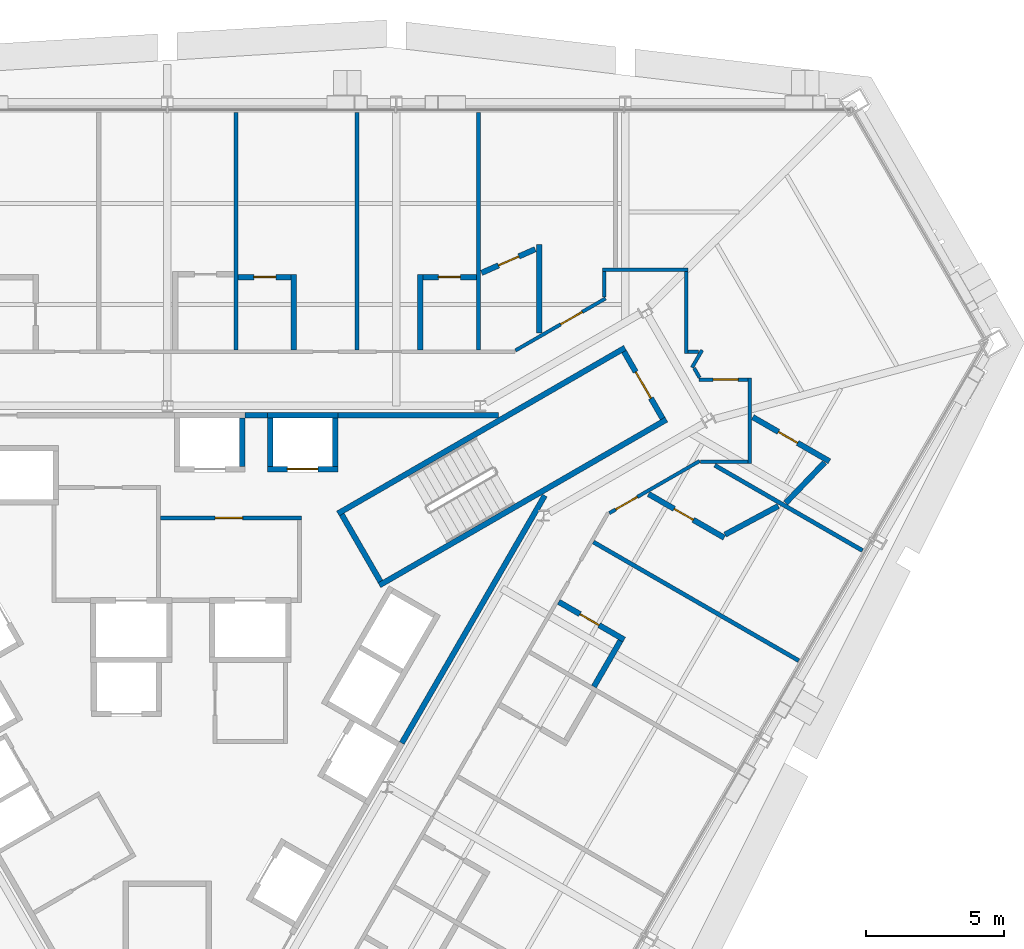
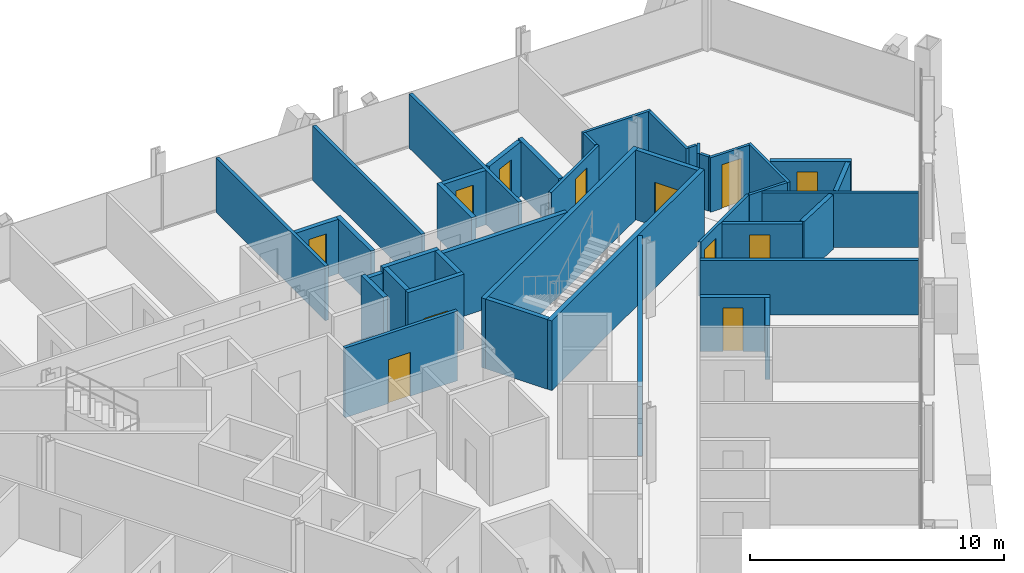
# One storey, part 14 of 17: 41 walls, 12 doors, 12 openings.
"""IFC4 building model written with IfcOpenShell, lengths in metres."""

from ifc_helpers import new_model, si_unit, direction, frame, frame_2d, origin, place, context, subcontext, project, spatial, rectangle, extrude, material, layer, layer_set, type_object, element, fill, save


model = new_model("IFC4")

# Units and contexts
model_context = context("Model", 3, precision=1e-05, world=origin(), true_north=direction((0.0, 1.0)))
body_context = subcontext(model_context, "Body", "Model", "MODEL_VIEW")
ifc_project = project(units=[si_unit("LENGTHUNIT", "METRE"), si_unit("AREAUNIT", "SQUARE_METRE"), si_unit("VOLUMEUNIT", "CUBIC_METRE"), si_unit("PLANEANGLEUNIT", "RADIAN"), si_unit("MASSUNIT", "GRAM", prefix="KILO")], contexts=[model_context])

# Site, building, storey
site_placement = place(None, origin())
site = spatial("IfcSite", under=ifc_project, at=site_placement, CompositionType="ELEMENT")
building_placement = place(site_placement, origin())
building = spatial("IfcBuilding", under=site, at=building_placement, Name="Verrane Prism Tower", CompositionType="ELEMENT")
storey_placement = place(building_placement, frame((0.0, 0.0, 136.0)))
storey = spatial("IfcBuildingStorey", under=building, at=storey_placement, Name="L33", CompositionType="ELEMENT", Elevation=136.0)

# Walls
ifc_material_1 = material(Name="Gypsum board partition", Category="other")
ifc_layer_1 = layer(ifc_material_1, 0.199951171875)
ifc_layer_set_1 = layer_set([ifc_layer_1], Name="CW-200 core boundary wall 2 h")
wall_type_1 = type_object("IfcWallType", Name="CW-200 core boundary wall 2 h", PredefinedType="PARTITIONING", material=ifc_layer_set_1)
wall_1_placement = place(storey_placement, frame((2.81689453125, 8.860107421875, 0.0), z_axis=(0.0, 0.0, 1.0), x_axis=(1.0, 0.0, 0.0)))
element("IfcWall", 1, at=wall_1_placement, inside=storey, type_object=wall_type_1, Name="Core boundary wall CW3-004", PredefinedType="PARTITIONING", context=body_context, shape_type="SweptSolid", body=[
    extrude(rectangle(XDim=0.80615234375, YDim=0.199951171875, at=frame_2d((0.403076171875, 0.0))), origin(), (0.0, 0.0, 1.0), 3.35009765625),
])
wall_2_placement = place(storey_placement, frame((6.177001953125, 8.860107421875, 0.0), z_axis=(0.0, 0.0, 1.0), x_axis=(1.0, 0.0, 0.0)))
element("IfcWall", 2, at=wall_2_placement, inside=storey, type_object=wall_type_1, Name="Core boundary wall CW3-006", PredefinedType="PARTITIONING", context=body_context, shape_type="SweptSolid", body=[
    extrude(rectangle(XDim=5.81396484375, YDim=0.199951171875, at=frame_2d((2.906982421875, 0.0))), origin(), (0.0, 0.0, 1.0), 3.35009765625),
])
wall_3_placement = place(storey_placement, frame((8.491943359375, -3.011962890625, 0.0), z_axis=(0.0, 0.0, 1.0), x_axis=(0.499972957231, 0.866041016371, 0.0)))
element("IfcWall", 3, at=wall_3_placement, inside=storey, type_object=wall_type_1, Name="Core boundary wall CW3-007", PredefinedType="PARTITIONING", context=body_context, shape_type="SweptSolid", body=[
    extrude(rectangle(XDim=10.3486328125, YDim=0.199951171875, at=frame_2d((5.17431640625, 0.0))), origin(), (0.0, 0.0, 1.0), 3.35009765625),
])

# Wall, opening, door
ifc_material_2 = material(Name="Concrete C40/50", Category="concrete")
ifc_layer_2 = layer(ifc_material_2, 0.199951171875)
ifc_layer_set_2 = layer_set([ifc_layer_2], Name="CW-200 stair core wall concrete C40/50 3 h")
wall_type_2 = type_object("IfcWallType", Name="CW-200 stair core wall concrete C40/50 3 h", PredefinedType="PARTITIONING", material=ifc_layer_set_2)
wall_4_placement = place(storey_placement, frame((17.933837890625, 8.737548828125, 0.0), z_axis=(0.0, 0.0, 1.0), x_axis=(-0.49998411664, 0.866034573852, 0.0)))
wall_4 = element("IfcWall", 4, at=wall_4_placement, inside=storey, type_object=wall_type_2, Name="Stair 1 enclosure wall", PredefinedType="PARTITIONING", context=body_context, shape_type="SweptSolid", body=[
    extrude(rectangle(XDim=2.7998046875, YDim=0.199951171875, at=frame_2d((1.39990234375, 0.0))), origin(), (0.0, 0.0, 1.0), 3.35009765625),
])
opening_1_placement = place(wall_4_placement, frame((0.849853515625, 0.0, 0.0)))
opening_1 = element("IfcOpeningElement", 5, at=opening_1_placement, cuts=wall_4, Name="Opening D32500", PredefinedType="OPENING", context=body_context, shape_type="SweptSolid", body=[
    extrude(rectangle(XDim=1.10009765625, YDim=2.10009765625, at=frame_2d((0.550048828125, 1.050048828125))), frame((0.0, 0.10986328125, 0.0), z_axis=(0.0, -1.0, 0.0), x_axis=(1.0, 0.0, 0.0)), (0.0, 0.0, 1.0), 0.219970703125),
])
ifc_material_3 = material(Name="Timber veneered door leaf", Category="wood")
door_type_1 = type_object("IfcDoorType", Name="DR-1100x2100 FD90 single leaf stair", OperationType="NOTDEFINED", PredefinedType="DOOR", material=ifc_material_3)
door_1_placement = place(opening_1_placement, origin())
door_1 = element("IfcDoor", 6, at=door_1_placement, inside=storey, type_object=door_type_1, Name="Stair 1 door", OperationType="SINGLE_SWING_LEFT", OverallHeight=2.10009765625, OverallWidth=1.10009765625, PredefinedType="DOOR", context=body_context, shape_type="SweptSolid", body=[
    extrude(rectangle(XDim=1.10009765625, YDim=2.10009765625, at=frame_2d((0.550048828125, 1.050048828125))), frame((0.0, 0.02490234375, 0.0), z_axis=(0.0, -1.0, 0.0), x_axis=(1.0, 0.0, 0.0)), (0.0, 0.0, 1.0), 0.050048828125),
])
fill(opening_1, door_1)

# Walls
for number, where, z_axis, x_axis, name in (
    (7, (6.17822265625, 5.299072265625, 0.0), (0.0, 0.0, 1.0), (0.866026010844, 0.49999894854, 0.0), "Stair 1 enclosure wall"),
    (8, (7.67822265625, 2.700927734375, 0.0), (0.0, 0.0, 1.0), (0.866026010844, 0.49999894854, 0.0), "Stair 1 enclosure wall"),
):
    element("IfcWall", number, at=place(storey_placement, frame(where, z_axis=z_axis, x_axis=x_axis)), inside=storey, type_object=wall_type_2, Name=name, PredefinedType="PARTITIONING", context=body_context, shape_type="SweptSolid", body=[
        extrude(rectangle(XDim=12.0, YDim=0.199951171875, at=frame_2d((6.0, 0.0))), origin(), (0.0, 0.0, 1.0), 3.35009765625),
    ])
wall_5_placement = place(storey_placement, frame((7.71484375, 2.837646484375, 0.0), z_axis=(0.0, 0.0, 1.0), x_axis=(-0.500049511043, 0.865996816683, 0.0)))
element("IfcWall", 9, at=wall_5_placement, inside=storey, type_object=wall_type_2, Name="Stair 1 enclosure wall", PredefinedType="PARTITIONING", context=body_context, shape_type="SweptSolid", body=[
    extrude(rectangle(XDim=2.800048828125, YDim=0.199951171875, at=frame_2d((1.39990234375, 0.0))), origin(), (0.0, 0.0, 1.0), 3.35009765625),
])

# Wall, opening, door
ifc_material_4 = material(Name="Gypsum board shaft wall assembly", Category="other")
ifc_layer_3 = layer(ifc_material_4, 0.199951171875)
ifc_layer_set_3 = layer_set([ifc_layer_3], Name="HW-200 lift shaft wall 2 h")
wall_type_3 = type_object("IfcWallType", Name="HW-200 lift shaft wall 2 h", PredefinedType="PARTITIONING", material=ifc_layer_set_3)
wall_6_placement = place(storey_placement, frame((3.625, 6.909912109375, 0.0), z_axis=(0.0, 0.0, 1.0), x_axis=(1.0, 0.0, 0.0)))
wall_6 = element("IfcWall", 10, at=wall_6_placement, inside=storey, type_object=wall_type_3, Name="Lift shaft wall", PredefinedType="PARTITIONING", context=body_context, shape_type="SweptSolid", body=[
    extrude(rectangle(XDim=2.550048828125, YDim=0.199951171875, at=frame_2d((1.27490234375, 0.0))), origin(), (0.0, 0.0, 1.0), 3.60009765625),
])
opening_2_placement = place(wall_6_placement, frame((0.72509765625, 0.0, 0.0)))
opening_2 = element("IfcOpeningElement", 11, at=opening_2_placement, cuts=wall_6, Name="Opening D32505", PredefinedType="OPENING", context=body_context, shape_type="SweptSolid", body=[
    extrude(rectangle(XDim=1.10009765625, YDim=2.10009765625, at=frame_2d((0.550048828125, 1.050048828125))), frame((0.0, 0.10986328125, 0.0), z_axis=(0.0, -1.0, 0.0), x_axis=(1.0, 0.0, 0.0)), (0.0, 0.0, 1.0), 0.219970703125),
])
ifc_material_5 = material(Name="Stainless steel sliding landing door", Category="steel")
door_type_2 = type_object("IfcDoorType", Name="LD-1100x2100 lift landing door FD90 sliding", OperationType="NOTDEFINED", PredefinedType="DOOR", material=ifc_material_5)
door_2_placement = place(opening_2_placement, origin())
door_2 = element("IfcDoor", 12, at=door_2_placement, inside=storey, type_object=door_type_2, Name="Bank A lift 3 landing door", OperationType="SLIDING_TO_LEFT", OverallHeight=2.10009765625, OverallWidth=1.10009765625, PredefinedType="DOOR", context=body_context, shape_type="SweptSolid", body=[
    extrude(rectangle(XDim=1.10009765625, YDim=2.10009765625, at=frame_2d((0.550048828125, 1.050048828125))), frame((0.0, 0.02490234375, 0.0), z_axis=(0.0, -1.0, 0.0), x_axis=(1.0, 0.0, 0.0)), (0.0, 0.0, 1.0), 0.050048828125),
])
fill(opening_2, door_2)

# Walls
wall_7_placement = place(storey_placement, frame((3.625, 8.860107421875, 0.0), z_axis=(0.0, 0.0, 1.0), x_axis=(1.0, 0.0, 0.0)))
element("IfcWall", 13, at=wall_7_placement, inside=storey, type_object=wall_type_3, Name="Lift shaft wall", PredefinedType="PARTITIONING", context=body_context, shape_type="SweptSolid", body=[
    extrude(rectangle(XDim=2.550048828125, YDim=0.199951171875, at=frame_2d((1.27490234375, 0.0))), origin(), (0.0, 0.0, 1.0), 3.60009765625),
])
for number, where, z_axis, x_axis, name in (
    (14, (6.074951171875, 7.010009765625, 0.0), (0.0, 0.0, 1.0), (0.0, 1.0, 0.0), "Lift shaft wall"),
    (15, (3.72509765625, 7.010009765625, 0.0), (0.0, 0.0, 1.0), (0.0, 1.0, 0.0), "Lift shaft wall"),
    (16, (2.715087890625, 7.010009765625, 0.0), (0.0, 0.0, 1.0), (0.0, 1.0, 0.0), "Lift shaft wall"),
):
    element("IfcWall", number, at=place(storey_placement, frame(where, z_axis=z_axis, x_axis=x_axis)), inside=storey, type_object=wall_type_3, Name=name, PredefinedType="PARTITIONING", context=body_context, shape_type="SweptSolid", body=[
        extrude(rectangle(XDim=1.75, YDim=0.199951171875, at=frame_2d((0.875, 0.0))), origin(), (0.0, 0.0, 1.0), 3.60009765625),
    ])

# Wall, opening, door
ifc_material_6 = material(Name="Gypsum board partition", Category="other")
ifc_layer_4 = layer(ifc_material_6, 0.14990234375)
ifc_layer_set_4 = layer_set([ifc_layer_4], Name="LF-150 firefighting lobby wall 1 h")
wall_type_4 = type_object("IfcWallType", Name="LF-150 firefighting lobby wall 1 h", PredefinedType="PARTITIONING", material=ifc_layer_set_4)
wall_8_placement = place(storey_placement, frame((-0.2451171875, 5.139892578125, 0.0), z_axis=(0.0, 0.0, 1.0), x_axis=(1.0, 0.0, 0.0)))
wall_8 = element("IfcWall", 17, at=wall_8_placement, inside=storey, type_object=wall_type_4, Name="Firefighting lobby wall LF1-005", PredefinedType="PARTITIONING", context=body_context, shape_type="SweptSolid", body=[
    extrude(rectangle(XDim=5.110107421875, YDim=0.14990234375, at=frame_2d((2.55517578125, 0.0))), origin(), (0.0, 0.0, 1.0), 3.35009765625),
])
opening_3_placement = place(wall_8_placement, frame((1.97509765625, 0.0, 0.0)))
opening_3 = element("IfcOpeningElement", 18, at=opening_3_placement, cuts=wall_8, Name="Opening D32516", PredefinedType="OPENING", context=body_context, shape_type="SweptSolid", body=[
    extrude(rectangle(XDim=1.0, YDim=2.10009765625, at=frame_2d((0.5, 1.050048828125))), frame((0.0, 0.0849609375, 0.0), z_axis=(0.0, -1.0, 0.0), x_axis=(1.0, 0.0, 0.0)), (0.0, 0.0, 1.0), 0.169921875),
])
ifc_material_7 = material(Name="Timber veneered door leaf", Category="wood")
door_type_3 = type_object("IfcDoorType", Name="DR-1000x2100 FD60 single leaf firefighting lobby", OperationType="NOTDEFINED", PredefinedType="DOOR", material=ifc_material_7)
door_3_placement = place(opening_3_placement, origin())
door_3 = element("IfcDoor", 19, at=door_3_placement, inside=storey, type_object=door_type_3, Name="Firefighting lobby door D32516", OperationType="SINGLE_SWING_RIGHT", OverallHeight=2.10009765625, OverallWidth=1.0, PredefinedType="DOOR", context=body_context, shape_type="SweptSolid", body=[
    extrude(rectangle(XDim=1.0, YDim=2.10009765625, at=frame_2d((0.5, 1.050048828125))), frame((0.0, 0.02490234375, 0.0), z_axis=(0.0, -1.0, 0.0), x_axis=(1.0, 0.0, 0.0)), (0.0, 0.0, 1.0), 0.050048828125),
])
fill(opening_3, door_3)

ifc_material_8 = material(Name="Gypsum board partition", Category="other")
ifc_layer_5 = layer(ifc_material_8, 0.125)
ifc_layer_set_5 = layer_set([ifc_layer_5], Name="PW-125 corridor wall 1 h")
wall_type_5 = type_object("IfcWallType", Name="PW-125 corridor wall 1 h", PredefinedType="PARTITIONING", material=ifc_layer_set_5)
wall_9_placement = place(storey_placement, frame((12.604736328125, 11.203369140625, 0.0), z_axis=(0.0, 0.0, 1.0), x_axis=(0.866113281362, 0.499847760672, 0.0)))
wall_9 = element("IfcWall", 20, at=wall_9_placement, inside=storey, type_object=wall_type_5, Name="Corridor wall 074", PredefinedType="PARTITIONING", context=body_context, shape_type="SweptSolid", body=[
    extrude(rectangle(XDim=3.766845703125, YDim=0.125, at=frame_2d((1.88330078125, 0.0))), origin(), (0.0, 0.0, 1.0), 2.613037109375),
])
opening_4_placement = place(wall_9_placement, frame((1.889892578125, 0.0, 0.0)))
opening_4 = element("IfcOpeningElement", 21, at=opening_4_placement, cuts=wall_9, Name="Opening D32017", PredefinedType="OPENING", context=body_context, shape_type="SweptSolid", body=[
    extrude(rectangle(XDim=0.89990234375, YDim=2.10009765625, at=frame_2d((0.449951171875, 1.050048828125))), frame((0.0, 0.072509765625, 0.0), z_axis=(0.0, -1.0, 0.0), x_axis=(1.0, 0.0, 0.0)), (0.0, 0.0, 1.0), 0.14501953125),
])
ifc_material_9 = material(Name="Timber veneered door leaf", Category="wood")
door_type_4 = type_object("IfcDoorType", Name="DR-900x2100 FD20 single leaf unit", OperationType="NOTDEFINED", PredefinedType="DOOR", material=ifc_material_9)
door_4_placement = place(opening_4_placement, origin())
door_4 = element("IfcDoor", 22, at=door_4_placement, inside=storey, type_object=door_type_4, Name="Guest Room door", OperationType="SINGLE_SWING_LEFT", OverallHeight=2.10009765625, OverallWidth=0.89990234375, PredefinedType="DOOR", context=body_context, shape_type="SweptSolid", body=[
    extrude(rectangle(XDim=0.89990234375, YDim=2.10009765625, at=frame_2d((0.449951171875, 1.050048828125))), frame((0.0, 0.02490234375, 0.0), z_axis=(0.0, -1.0, 0.0), x_axis=(1.0, 0.0, 0.0)), (0.0, 0.0, 1.0), 0.050048828125),
])
fill(opening_4, door_4)

# Walls
wall_10_placement = place(storey_placement, frame((15.81298828125, 13.139892578125, 0.0), z_axis=(0.0, 0.0, 1.0), x_axis=(0.0, 1.0, 0.0)))
element("IfcWall", 23, at=wall_10_placement, inside=storey, type_object=wall_type_5, Name="Corridor wall 081", PredefinedType="PARTITIONING", context=body_context, shape_type="SweptSolid", body=[
    extrude(rectangle(XDim=0.922119140625, YDim=0.125, at=frame_2d((0.4609375, 0.0))), origin(), (0.0, 0.0, 1.0), 2.613037109375),
])
wall_11_placement = place(storey_placement, frame((15.75048828125, 14.126953125, 0.0), z_axis=(0.0, 0.0, 1.0), x_axis=(1.0, 0.0, 0.0)))
element("IfcWall", 24, at=wall_11_placement, inside=storey, type_object=wall_type_5, Name="Corridor wall 082", PredefinedType="PARTITIONING", context=body_context, shape_type="SweptSolid", body=[
    extrude(rectangle(XDim=3.09912109375, YDim=0.125, at=frame_2d((1.549560546875, 0.0))), origin(), (0.0, 0.0, 1.0), 2.613037109375),
])

# Wall, opening, door
wall_12_placement = place(storey_placement, frame((19.278076171875, 7.204345703125, 0.0), z_axis=(0.0, 0.0, 1.0), x_axis=(-0.866028547684, -0.499994554566, 0.0)))
wall_12 = element("IfcWall", 25, at=wall_12_placement, inside=storey, type_object=wall_type_5, Name="Corridor wall 083", PredefinedType="PARTITIONING", context=body_context, shape_type="SweptSolid", body=[
    extrude(rectangle(XDim=3.77978515625, YDim=0.125, at=frame_2d((1.889892578125, 0.0))), origin(), (0.0, 0.0, 1.0), 2.613037109375),
])
opening_5_placement = place(wall_12_placement, frame((2.61474609375, 0.0, 0.0)))
opening_5 = element("IfcOpeningElement", 26, at=opening_5_placement, cuts=wall_12, Name="Opening D32013", PredefinedType="OPENING", context=body_context, shape_type="SweptSolid", body=[
    extrude(rectangle(XDim=0.89990234375, YDim=2.10009765625, at=frame_2d((0.449951171875, 1.050048828125))), frame((0.0, 0.072509765625, 0.0), z_axis=(0.0, -1.0, 0.0), x_axis=(1.0, 0.0, 0.0)), (0.0, 0.0, 1.0), 0.14501953125),
])
door_5_placement = place(opening_5_placement, origin())
door_5 = element("IfcDoor", 27, at=door_5_placement, inside=storey, type_object=door_type_4, Name="Guest Room door", OperationType="SINGLE_SWING_RIGHT", OverallHeight=2.10009765625, OverallWidth=0.89990234375, PredefinedType="DOOR", context=body_context, shape_type="SweptSolid", body=[
    extrude(rectangle(XDim=0.89990234375, YDim=2.10009765625, at=frame_2d((0.449951171875, 1.050048828125))), frame((0.0, 0.02490234375, 0.0), z_axis=(0.0, -1.0, 0.0), x_axis=(1.0, 0.0, 0.0)), (0.0, 0.0, 1.0), 0.050048828125),
])
fill(opening_5, door_5)

# Walls
wall_13_placement = place(storey_placement, frame((18.787109375, 11.098388671875, 0.0), z_axis=(0.0, 0.0, 1.0), x_axis=(0.0, 1.0, 0.0)))
element("IfcWall", 28, at=wall_13_placement, inside=storey, type_object=wall_type_5, Name="Corridor wall 086", PredefinedType="PARTITIONING", context=body_context, shape_type="SweptSolid", body=[
    extrude(rectangle(XDim=2.963623046875, YDim=0.125, at=frame_2d((1.48193359375, 0.0))), origin(), (0.0, 0.0, 1.0), 2.613037109375),
])
wall_14_placement = place(storey_placement, frame((18.85205078125, 11.160888671875, 0.0), z_axis=(0.0, 0.0, 1.0), x_axis=(1.0, 0.0, 0.0)))
element("IfcWall", 29, at=wall_14_placement, inside=storey, type_object=wall_type_5, Name="Corridor wall 087", PredefinedType="PARTITIONING", context=body_context, shape_type="SweptSolid", body=[
    extrude(rectangle(XDim=0.3740234375, YDim=0.125, at=frame_2d((0.18701171875, 0.0))), origin(), (0.0, 0.0, 1.0), 2.613037109375),
])
wall_15_placement = place(storey_placement, frame((19.072509765625, 10.5654296875, 0.0), z_axis=(0.0, 0.0, 1.0), x_axis=(0.499899443193, -0.866083452501, 0.0)))
element("IfcWall", 30, at=wall_15_placement, inside=storey, type_object=wall_type_5, Name="Corridor wall 088", PredefinedType="PARTITIONING", context=body_context, shape_type="SweptSolid", body=[
    extrude(rectangle(XDim=0.39794921875, YDim=0.125, at=frame_2d((0.198974609375, 0.0))), origin(), (0.0, 0.0, 1.0), 2.613037109375),
])
wall_16_placement = place(storey_placement, frame((18.998779296875, 10.5849609375, 0.0), z_axis=(0.0, 0.0, 1.0), x_axis=(0.499712769023, 0.866191173169, 0.0)))
element("IfcWall", 31, at=wall_16_placement, inside=storey, type_object=wall_type_5, Name="Corridor wall 089", PredefinedType="PARTITIONING", context=body_context, shape_type="SweptSolid", body=[
    extrude(rectangle(XDim=0.7275390625, YDim=0.125, at=frame_2d((0.36376953125, 0.0))), origin(), (0.0, 0.0, 1.0), 2.613037109375),
])
wall_17_placement = place(storey_placement, frame((19.30908203125, 7.173095703125, 0.0), z_axis=(0.0, 0.0, 1.0), x_axis=(1.0, 0.0, 0.0)))
element("IfcWall", 32, at=wall_17_placement, inside=storey, type_object=wall_type_5, Name="Corridor wall 090", PredefinedType="PARTITIONING", context=body_context, shape_type="SweptSolid", body=[
    extrude(rectangle(XDim=1.712890625, YDim=0.125, at=frame_2d((0.8564453125, 0.0))), origin(), (0.0, 0.0, 1.0), 2.613037109375),
])

# Wall, opening, door
wall_18_placement = place(storey_placement, frame((19.25146484375, 10.14697265625, 0.0), z_axis=(0.0, 0.0, 1.0), x_axis=(1.0, 0.0, 0.0)))
wall_18 = element("IfcWall", 33, at=wall_18_placement, inside=storey, type_object=wall_type_5, Name="Corridor wall 091", PredefinedType="PARTITIONING", context=body_context, shape_type="SweptSolid", body=[
    extrude(rectangle(XDim=1.7705078125, YDim=0.125, at=frame_2d((0.88525390625, 0.0))), origin(), (0.0, 0.0, 1.0), 2.613037109375),
])
opening_6_placement = place(wall_18_placement, frame((0.512451171875, 0.0, 0.0)))
opening_6 = element("IfcOpeningElement", 34, at=opening_6_placement, cuts=wall_18, Name="Opening D32015", PredefinedType="OPENING", context=body_context, shape_type="SweptSolid", body=[
    extrude(rectangle(XDim=0.89990234375, YDim=2.10009765625, at=frame_2d((0.449951171875, 1.050048828125))), frame((0.0, 0.072509765625, 0.0), z_axis=(0.0, -1.0, 0.0), x_axis=(1.0, 0.0, 0.0)), (0.0, 0.0, 1.0), 0.14501953125),
])
door_6_placement = place(opening_6_placement, origin())
door_6 = element("IfcDoor", 35, at=door_6_placement, inside=storey, type_object=door_type_4, Name="Corner Suite door", OperationType="SINGLE_SWING_LEFT", OverallHeight=2.10009765625, OverallWidth=0.89990234375, PredefinedType="DOOR", context=body_context, shape_type="SweptSolid", body=[
    extrude(rectangle(XDim=0.89990234375, YDim=2.10009765625, at=frame_2d((0.449951171875, 1.050048828125))), frame((0.0, 0.02490234375, 0.0), z_axis=(0.0, -1.0, 0.0), x_axis=(1.0, 0.0, 0.0)), (0.0, 0.0, 1.0), 0.050048828125),
])
fill(opening_6, door_6)

# Walls
wall_19_placement = place(storey_placement, frame((21.0869140625, 7.110595703125, 0.0), z_axis=(0.0, 0.0, 1.0), x_axis=(0.0, 1.0, 0.0)))
element("IfcWall", 36, at=wall_19_placement, inside=storey, type_object=wall_type_5, Name="Corridor wall 094", PredefinedType="PARTITIONING", context=body_context, shape_type="SweptSolid", body=[
    extrude(rectangle(XDim=3.098876953125, YDim=0.125, at=frame_2d((1.54931640625, 0.0))), origin(), (0.0, 0.0, 1.0), 2.613037109375),
])
ifc_material_10 = material(Name="Gypsum board partition", Category="other")
ifc_layer_6 = layer(ifc_material_10, 0.14990234375)
ifc_layer_set_6 = layer_set([ifc_layer_6], Name="PW-150 demising wall 1 h")
wall_type_6 = type_object("IfcWallType", Name="PW-150 demising wall 1 h", PredefinedType="PARTITIONING", material=ifc_layer_set_6)
for number, where, z_axis, x_axis, name in (
    (37, (2.48193359375, 11.223388671875, 0.0), (0.0, 0.0, 1.0), (0.0, 1.0, 0.0), "Demising wall 050"),
    (38, (6.8720703125, 11.223388671875, 0.0), (0.0, 0.0, 1.0), (0.0, 1.0, 0.0), "Demising wall 062"),
    (39, (11.261962890625, 11.223388671875, 0.0), (0.0, 0.0, 1.0), (0.0, 1.0, 0.0), "Demising wall 071"),
):
    element("IfcWall", number, at=place(storey_placement, frame(where, z_axis=z_axis, x_axis=x_axis)), inside=storey, type_object=wall_type_6, Name=name, PredefinedType="PARTITIONING", context=body_context, shape_type="SweptSolid", body=[
        extrude(rectangle(XDim=8.591552734375, YDim=0.14990234375, at=frame_2d((4.2958984375, 0.0))), origin(), (0.0, 0.0, 1.0), 2.613037109375),
    ])
wall_20_placement = place(storey_placement, frame((15.424072265625, 4.267822265625, 0.0), z_axis=(0.0, 0.0, 1.0), x_axis=(0.866022320763, -0.500005339912, 0.0)))
element("IfcWall", 40, at=wall_20_placement, inside=storey, type_object=wall_type_6, Name="Demising wall 079", PredefinedType="PARTITIONING", context=body_context, shape_type="SweptSolid", body=[
    extrude(rectangle(XDim=8.59130859375, YDim=0.14990234375, at=frame_2d((4.295654296875, 0.0))), origin(), (0.0, 0.0, 1.0), 2.613037109375),
])
wall_21_placement = place(storey_placement, frame((19.82177734375, 7.045654296875, 0.0), z_axis=(0.0, 0.0, 1.0), x_axis=(0.866041323853, -0.499972424619, 0.0)))
element("IfcWall", 41, at=wall_21_placement, inside=storey, type_object=wall_type_6, Name="Demising wall 092", PredefinedType="PARTITIONING", context=body_context, shape_type="SweptSolid", body=[
    extrude(rectangle(XDim=6.171630859375, YDim=0.14990234375, at=frame_2d((3.0859375, 0.0))), origin(), (0.0, 0.0, 1.0), 2.613037109375),
])

# Wall, opening, door
ifc_material_11 = material(Name="Gypsum board partition", Category="other")
ifc_layer_7 = layer(ifc_material_11, 0.199951171875)
ifc_layer_set_7 = layer_set([ifc_layer_7], Name="PW-200 plumbing wall")
wall_type_7 = type_object("IfcWallType", Name="PW-200 plumbing wall", PredefinedType="PARTITIONING", material=ifc_layer_set_7)
wall_22_placement = place(storey_placement, frame((4.48193359375, 13.861083984375, 0.0), z_axis=(0.0, 0.0, 1.0), x_axis=(-1.0, 0.0, 0.0)))
wall_22 = element("IfcWall", 42, at=wall_22_placement, inside=storey, type_object=wall_type_7, Name="Plumbing wall 051", PredefinedType="PARTITIONING", context=body_context, shape_type="SweptSolid", body=[
    extrude(rectangle(XDim=1.925048828125, YDim=0.199951171875, at=frame_2d((0.96240234375, 0.0))), origin(), (0.0, 0.0, 1.0), 2.613037109375),
])
opening_7_placement = place(wall_22_placement, frame((0.550048828125, 0.0, 0.0)))
opening_7 = element("IfcOpeningElement", 43, at=opening_7_placement, cuts=wall_22, Name="Opening D32022", PredefinedType="OPENING", context=body_context, shape_type="SweptSolid", body=[
    extrude(rectangle(XDim=0.800048828125, YDim=2.10009765625, at=frame_2d((0.39990234375, 1.050048828125))), frame((0.0, 0.10986328125, 0.0), z_axis=(0.0, -1.0, 0.0), x_axis=(1.0, 0.0, 0.0)), (0.0, 0.0, 1.0), 0.219970703125),
])
ifc_material_12 = material(Name="Timber veneered door leaf", Category="wood")
door_type_5 = type_object("IfcDoorType", Name="DR-800x2100 single leaf bath", OperationType="NOTDEFINED", PredefinedType="DOOR", material=ifc_material_12)
door_7_placement = place(opening_7_placement, origin())
door_7 = element("IfcDoor", 44, at=door_7_placement, inside=storey, type_object=door_type_5, Name="En-Suite door", OperationType="SINGLE_SWING_LEFT", OverallHeight=2.10009765625, OverallWidth=0.800048828125, PredefinedType="DOOR", context=body_context, shape_type="SweptSolid", body=[
    extrude(rectangle(XDim=0.800048828125, YDim=2.10009765625, at=frame_2d((0.39990234375, 1.050048828125))), frame((0.0, 0.02490234375, 0.0), z_axis=(0.0, -1.0, 0.0), x_axis=(1.0, 0.0, 0.0)), (0.0, 0.0, 1.0), 0.050048828125),
])
fill(opening_7, door_7)

# Walls
for number, where, z_axis, x_axis, name in (
    (45, (4.58203125, 11.223388671875, 0.0), (0.0, 0.0, 1.0), (0.0, 1.0, 0.0), "Plumbing wall 058"),
    (46, (9.162109375, 11.223388671875, 0.0), (0.0, 0.0, 1.0), (0.0, 1.0, 0.0), "Plumbing wall 065"),
):
    element("IfcWall", number, at=place(storey_placement, frame(where, z_axis=z_axis, x_axis=x_axis)), inside=storey, type_object=wall_type_7, Name=name, PredefinedType="PARTITIONING", context=body_context, shape_type="SweptSolid", body=[
        extrude(rectangle(XDim=2.737548828125, YDim=0.199951171875, at=frame_2d((1.36865234375, 0.0))), origin(), (0.0, 0.0, 1.0), 2.613037109375),
    ])

# Wall, opening, door
wall_23_placement = place(storey_placement, frame((11.18701171875, 13.861083984375, 0.0), z_axis=(0.0, 0.0, 1.0), x_axis=(-1.0, 0.0, 0.0)))
wall_23 = element("IfcWall", 47, at=wall_23_placement, inside=storey, type_object=wall_type_7, Name="Plumbing wall 066", PredefinedType="PARTITIONING", context=body_context, shape_type="SweptSolid", body=[
    extrude(rectangle(XDim=1.925048828125, YDim=0.199951171875, at=frame_2d((0.96240234375, 0.0))), origin(), (0.0, 0.0, 1.0), 2.613037109375),
])
opening_8_placement = place(wall_23_placement, frame((0.574951171875, 0.0, 0.0)))
opening_8 = element("IfcOpeningElement", 48, at=opening_8_placement, cuts=wall_23, Name="Opening D32020", PredefinedType="OPENING", context=body_context, shape_type="SweptSolid", body=[
    extrude(rectangle(XDim=0.800048828125, YDim=2.10009765625, at=frame_2d((0.39990234375, 1.050048828125))), frame((0.0, 0.10986328125, 0.0), z_axis=(0.0, -1.0, 0.0), x_axis=(1.0, 0.0, 0.0)), (0.0, 0.0, 1.0), 0.219970703125),
])
door_8_placement = place(opening_8_placement, origin())
door_8 = element("IfcDoor", 49, at=door_8_placement, inside=storey, type_object=door_type_5, Name="En-Suite door", OperationType="SINGLE_SWING_LEFT", OverallHeight=2.10009765625, OverallWidth=0.800048828125, PredefinedType="DOOR", context=body_context, shape_type="SweptSolid", body=[
    extrude(rectangle(XDim=0.800048828125, YDim=2.10009765625, at=frame_2d((0.39990234375, 1.050048828125))), frame((0.0, 0.02490234375, 0.0), z_axis=(0.0, -1.0, 0.0), x_axis=(1.0, 0.0, 0.0)), (0.0, 0.0, 1.0), 0.050048828125),
])
fill(opening_8, door_8)

wall_24_placement = place(storey_placement, frame((13.3203125, 14.869384765625, 0.0), z_axis=(0.0, 0.0, 1.0), x_axis=(-0.914870345188, -0.403747757263, 0.0)))
wall_24 = element("IfcWall", 50, at=wall_24_placement, inside=storey, type_object=wall_type_7, Name="Plumbing wall 072", PredefinedType="PARTITIONING", context=body_context, shape_type="SweptSolid", body=[
    extrude(rectangle(XDim=2.123779296875, YDim=0.199951171875, at=frame_2d((1.06201171875, 0.0))), origin(), (0.0, 0.0, 1.0), 2.613037109375),
])
opening_9_placement = place(wall_24_placement, frame((0.649658203125, 0.0, 0.0)))
opening_9 = element("IfcOpeningElement", 51, at=opening_9_placement, cuts=wall_24, Name="Opening D32018", PredefinedType="OPENING", context=body_context, shape_type="SweptSolid", body=[
    extrude(rectangle(XDim=0.800048828125, YDim=2.10009765625, at=frame_2d((0.39990234375, 1.050048828125))), frame((0.0, 0.10986328125, 0.0), z_axis=(0.0, -1.0, 0.0), x_axis=(1.0, 0.0, 0.0)), (0.0, 0.0, 1.0), 0.219970703125),
])
door_9_placement = place(opening_9_placement, origin())
door_9 = element("IfcDoor", 52, at=door_9_placement, inside=storey, type_object=door_type_5, Name="En-Suite door", OperationType="SINGLE_SWING_LEFT", OverallHeight=2.10009765625, OverallWidth=0.800048828125, PredefinedType="DOOR", context=body_context, shape_type="SweptSolid", body=[
    extrude(rectangle(XDim=0.800048828125, YDim=2.10009765625, at=frame_2d((0.39990234375, 1.050048828125))), frame((0.0, 0.02490234375, 0.0), z_axis=(0.0, -1.0, 0.0), x_axis=(1.0, 0.0, 0.0)), (0.0, 0.0, 1.0), 0.050048828125),
])
fill(opening_9, door_9)

# Wall
wall_25_placement = place(storey_placement, frame((13.4619140625, 11.828857421875, 0.0), z_axis=(0.0, 0.0, 1.0), x_axis=(0.0, 1.0, 0.0)))
element("IfcWall", 53, at=wall_25_placement, inside=storey, type_object=wall_type_7, Name="Plumbing wall 076", PredefinedType="PARTITIONING", context=body_context, shape_type="SweptSolid", body=[
    extrude(rectangle(XDim=3.203125, YDim=0.199951171875, at=frame_2d((1.6015625, 0.0))), origin(), (0.0, 0.0, 1.0), 2.613037109375),
])

# Wall, opening, door
wall_26_placement = place(storey_placement, frame((16.54248046875, 0.73095703125, 0.0), z_axis=(0.0, 0.0, 1.0), x_axis=(-0.86596722502, 0.50010075504, 0.0)))
wall_26 = element("IfcWall", 54, at=wall_26_placement, inside=storey, type_object=wall_type_7, Name="Plumbing wall 077", PredefinedType="PARTITIONING", context=body_context, shape_type="SweptSolid", body=[
    extrude(rectangle(XDim=2.7373046875, YDim=0.199951171875, at=frame_2d((1.36865234375, 0.0))), origin(), (0.0, 0.0, 1.0), 2.613037109375),
])
opening_10_placement = place(wall_26_placement, frame((1.0498046875, 0.0, 0.0)))
opening_10 = element("IfcOpeningElement", 55, at=opening_10_placement, cuts=wall_26, Name="Opening D32012", PredefinedType="OPENING", context=body_context, shape_type="SweptSolid", body=[
    extrude(rectangle(XDim=0.800048828125, YDim=2.10009765625, at=frame_2d((0.39990234375, 1.050048828125))), frame((0.0, 0.10986328125, 0.0), z_axis=(0.0, -1.0, 0.0), x_axis=(1.0, 0.0, 0.0)), (0.0, 0.0, 1.0), 0.219970703125),
])
door_10_placement = place(opening_10_placement, origin())
door_10 = element("IfcDoor", 56, at=door_10_placement, inside=storey, type_object=door_type_5, Name="En-Suite door", OperationType="SINGLE_SWING_LEFT", OverallHeight=2.10009765625, OverallWidth=0.800048828125, PredefinedType="DOOR", context=body_context, shape_type="SweptSolid", body=[
    extrude(rectangle(XDim=0.800048828125, YDim=2.10009765625, at=frame_2d((0.39990234375, 1.050048828125))), frame((0.0, 0.02490234375, 0.0), z_axis=(0.0, -1.0, 0.0), x_axis=(1.0, 0.0, 0.0)), (0.0, 0.0, 1.0), 0.050048828125),
])
fill(opening_10, door_10)

# Wall
wall_27_placement = place(storey_placement, frame((15.446044921875, -0.96875, 0.0), z_axis=(0.0, 0.0, 1.0), x_axis=(0.499913221443, 0.866075499611, 0.0)))
element("IfcWall", 57, at=wall_27_placement, inside=storey, type_object=wall_type_7, Name="Plumbing wall 080", PredefinedType="PARTITIONING", context=body_context, shape_type="SweptSolid", body=[
    extrude(rectangle(XDim=1.920166015625, YDim=0.199951171875, at=frame_2d((0.9599609375, 0.0))), origin(), (0.0, 0.0, 1.0), 2.613037109375),
])

# Wall, opening, door
wall_28_placement = place(storey_placement, frame((17.424560546875, 6.004150390625, 0.0), z_axis=(0.0, 0.0, 1.0), x_axis=(0.866145753309, -0.499791490549, 0.0)))
wall_28 = element("IfcWall", 58, at=wall_28_placement, inside=storey, type_object=wall_type_7, Name="Plumbing wall 085", PredefinedType="PARTITIONING", context=body_context, shape_type="SweptSolid", body=[
    extrude(rectangle(XDim=3.163330078125, YDim=0.199951171875, at=frame_2d((1.58154296875, 0.0))), origin(), (0.0, 0.0, 1.0), 2.613037109375),
])
opening_11_placement = place(wall_28_placement, frame((1.070068359375, 0.0, 0.0)))
opening_11 = element("IfcOpeningElement", 59, at=opening_11_placement, cuts=wall_28, Name="Opening D32014", PredefinedType="OPENING", context=body_context, shape_type="SweptSolid", body=[
    extrude(rectangle(XDim=0.800048828125, YDim=2.10009765625, at=frame_2d((0.39990234375, 1.050048828125))), frame((0.0, 0.10986328125, 0.0), z_axis=(0.0, -1.0, 0.0), x_axis=(1.0, 0.0, 0.0)), (0.0, 0.0, 1.0), 0.219970703125),
])
door_11_placement = place(opening_11_placement, origin())
door_11 = element("IfcDoor", 60, at=door_11_placement, inside=storey, type_object=door_type_5, Name="En-Suite door", OperationType="SINGLE_SWING_RIGHT", OverallHeight=2.10009765625, OverallWidth=0.800048828125, PredefinedType="DOOR", context=body_context, shape_type="SweptSolid", body=[
    extrude(rectangle(XDim=0.800048828125, YDim=2.10009765625, at=frame_2d((0.39990234375, 1.050048828125))), frame((0.0, 0.02490234375, 0.0), z_axis=(0.0, -1.0, 0.0), x_axis=(1.0, 0.0, 0.0)), (0.0, 0.0, 1.0), 0.050048828125),
])
fill(opening_11, door_11)

# Wall
wall_29_placement = place(storey_placement, frame((20.197021484375, 4.536865234375, 0.0), z_axis=(0.0, 0.0, 1.0), x_axis=(0.881162538645, 0.472813473253, 0.0)))
element("IfcWall", 61, at=wall_29_placement, inside=storey, type_object=wall_type_7, Name="Plumbing wall 093", PredefinedType="PARTITIONING", context=body_context, shape_type="SweptSolid", body=[
    extrude(rectangle(XDim=2.185302734375, YDim=0.199951171875, at=frame_2d((1.0927734375, 0.0))), origin(), (0.0, 0.0, 1.0), 2.613037109375),
])

# Wall, opening, door
wall_30_placement = place(storey_placement, frame((23.9736328125, 7.18896484375, 0.0), z_axis=(0.0, 0.0, 1.0), x_axis=(-0.866105631149, 0.499861016376, 0.0)))
wall_30 = element("IfcWall", 62, at=wall_30_placement, inside=storey, type_object=wall_type_7, Name="Plumbing wall 095", PredefinedType="PARTITIONING", context=body_context, shape_type="SweptSolid", body=[
    extrude(rectangle(XDim=3.203125, YDim=0.199951171875, at=frame_2d((1.6015625, 0.0))), origin(), (0.0, 0.0, 1.0), 2.613037109375),
])
opening_12_placement = place(wall_30_placement, frame((1.332763671875, 0.0, 0.0)))
opening_12 = element("IfcOpeningElement", 63, at=opening_12_placement, cuts=wall_30, Name="Opening D32016", PredefinedType="OPENING", context=body_context, shape_type="SweptSolid", body=[
    extrude(rectangle(XDim=0.800048828125, YDim=2.10009765625, at=frame_2d((0.39990234375, 1.050048828125))), frame((0.0, 0.10986328125, 0.0), z_axis=(0.0, -1.0, 0.0), x_axis=(1.0, 0.0, 0.0)), (0.0, 0.0, 1.0), 0.219970703125),
])
door_12_placement = place(opening_12_placement, origin())
door_12 = element("IfcDoor", 64, at=door_12_placement, inside=storey, type_object=door_type_5, Name="En-Suite door", OperationType="SINGLE_SWING_LEFT", OverallHeight=2.10009765625, OverallWidth=0.800048828125, PredefinedType="DOOR", context=body_context, shape_type="SweptSolid", body=[
    extrude(rectangle(XDim=0.800048828125, YDim=2.10009765625, at=frame_2d((0.39990234375, 1.050048828125))), frame((0.0, 0.02490234375, 0.0), z_axis=(0.0, -1.0, 0.0), x_axis=(1.0, 0.0, 0.0)), (0.0, 0.0, 1.0), 0.050048828125),
])
fill(opening_12, door_12)

# Wall
wall_31_placement = place(storey_placement, frame((22.388427734375, 5.677490234375, 0.0), z_axis=(0.0, 0.0, 1.0), x_axis=(0.692374421384, 0.721538398572, 0.0)))
element("IfcWall", 65, at=wall_31_placement, inside=storey, type_object=wall_type_7, Name="Plumbing wall 096", PredefinedType="PARTITIONING", context=body_context, shape_type="SweptSolid", body=[
    extrude(rectangle(XDim=2.0341796875, YDim=0.199951171875, at=frame_2d((1.01708984375, 0.0))), origin(), (0.0, 0.0, 1.0), 2.613037109375),
])

save(model, "model.ifc")
